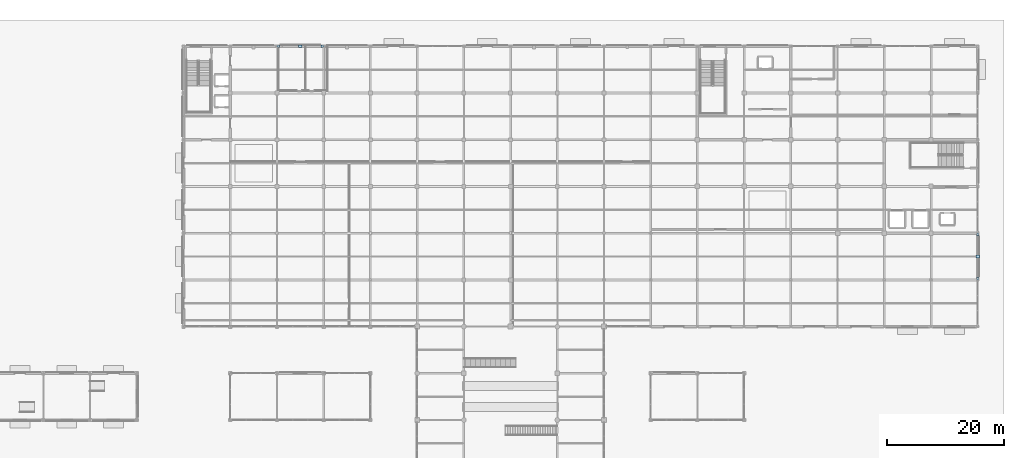
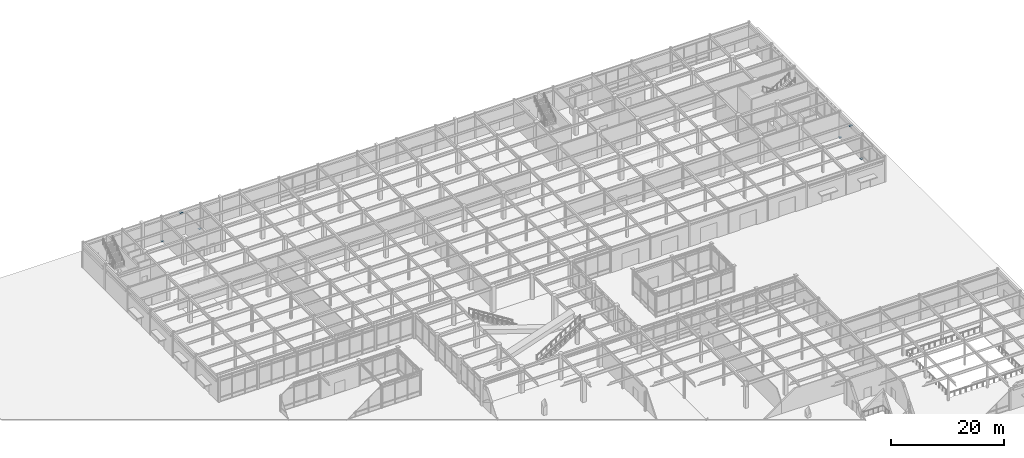
# One storey, part 100 of 128: 6 plates.
"""IFC4 building model written with IfcOpenShell, lengths in metres."""

from ifc_helpers import new_model, si_unit, direction, frame, origin, origin_2d, place, context, subcontext, project, spatial, rectangle, extrude, material, layer, layer_set, type_object, element, save


model = new_model("IFC4")

# Units and contexts
model_context = context("Model", 3, precision=1e-05, world=origin(), true_north=direction((0.0, 1.0)))
body_context = subcontext(model_context, "Body", "Model", "MODEL_VIEW")
ifc_project = project(units=[si_unit("LENGTHUNIT", "METRE"), si_unit("AREAUNIT", "SQUARE_METRE"), si_unit("VOLUMEUNIT", "CUBIC_METRE"), si_unit("PLANEANGLEUNIT", "RADIAN"), si_unit("MASSUNIT", "GRAM", prefix="KILO")], contexts=[model_context])

# Site, building, storey
site_placement = place(None, origin())
site = spatial("IfcSite", under=ifc_project, at=site_placement, CompositionType="ELEMENT")
building_placement = place(site_placement, origin())
building = spatial("IfcBuilding", under=site, at=building_placement, Name="Solmirada Galleria", CompositionType="ELEMENT")
storey_placement = place(building_placement, origin())
storey = spatial("IfcBuildingStorey", under=building, at=storey_placement, Name="L00", CompositionType="ELEMENT", Elevation=0.0)

# Plates
ifc_material = material(Name="Steel S355 / ASTM A572 Grade 50", Category="steel")
ifc_layer_1 = layer(ifc_material, 0.028076171875)
ifc_layer_set_1 = layer_set([ifc_layer_1], Name="Steel S355 / ASTM A572 Grade 50")
plate_type_1 = type_object("IfcPlateType", Name="PLT-NODE-02", PredefinedType="SHEET", material=ifc_layer_set_1)
for number, where, z_axis, x_axis, name in (
    (1, (56.202880859375, 120.0, 0.005859375), (0.0, 0.0, 1.0), (1.0, 0.0, 0.0), "Braced frame gusset plate CBF-N1 L00 LA"),
    (2, (63.797119140625, 120.0, 0.005859375), (0.0, 0.0, 1.0), (1.0, 0.0, 0.0), "Braced frame gusset plate CBF-N1 L00 RA"),
    (3, (176.0, 80.177978515625, 0.005859375), (0.0, 0.0, 1.0), (1.0, 0.0, 0.0), "Braced frame gusset plate CBF-E1 L00 LA"),
    (4, (176.0, 87.797119140625, 0.005859375), (0.0, 0.0, 1.0), (1.0, 0.0, 0.0), "Braced frame gusset plate CBF-E1 L00 RA"),
):
    element("IfcPlate", number, at=place(storey_placement, frame(where, z_axis=z_axis, x_axis=x_axis)), inside=storey, type_object=plate_type_1, Name=name, PredefinedType="SHEET", context=body_context, shape_type="SweptSolid", body=[
        extrude(rectangle(XDim=0.47998046875, YDim=0.47998046875, at=origin_2d()), origin(), (0.0, 0.0, 1.0), 0.028076171875),
    ])
ifc_layer_2 = layer(ifc_material, 0.035888671875)
ifc_layer_set_2 = layer_set([ifc_layer_2], Name="Steel S355 / ASTM A572 Grade 50")
plate_type_2 = type_object("IfcPlateType", Name="PLT-NODE-04", PredefinedType="SHEET", material=ifc_layer_set_2)
for number, where, z_axis, x_axis, name in (
    (5, (60.0, 120.0, 4.86181640625), (0.0, 0.0, 1.0), (1.0, 0.0, 0.0), "Braced frame gusset plate CBF-N1 L00 AP"),
    (6, (176.0, 84.0, 4.86181640625), (0.0, 0.0, 1.0), (1.0, 0.0, 0.0), "Braced frame gusset plate CBF-E1 L00 AP"),
):
    element("IfcPlate", number, at=place(storey_placement, frame(where, z_axis=z_axis, x_axis=x_axis)), inside=storey, type_object=plate_type_2, Name=name, PredefinedType="SHEET", context=body_context, shape_type="SweptSolid", body=[
        extrude(rectangle(XDim=0.64990234375, YDim=0.449951171875, at=origin_2d()), origin(), (0.0, 0.0, 1.0), 0.035888671875),
    ])

save(model, "model.ifc")
